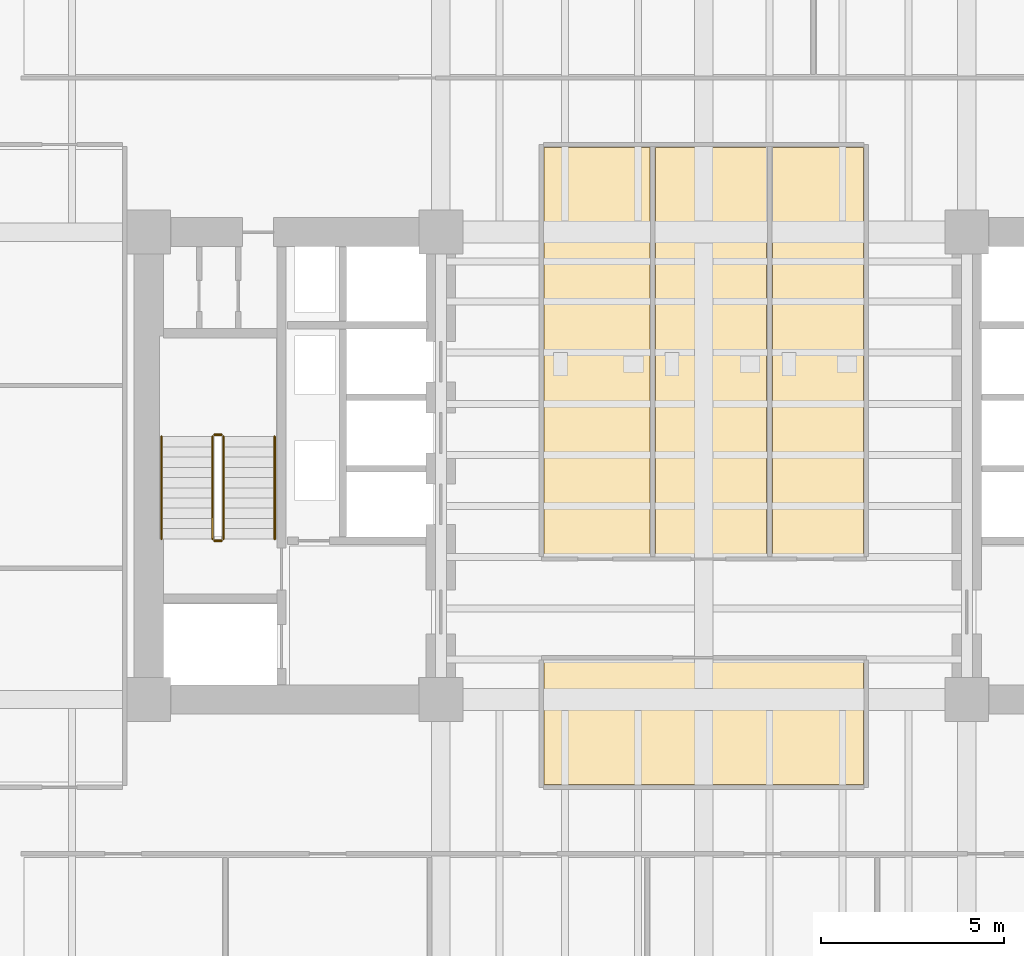
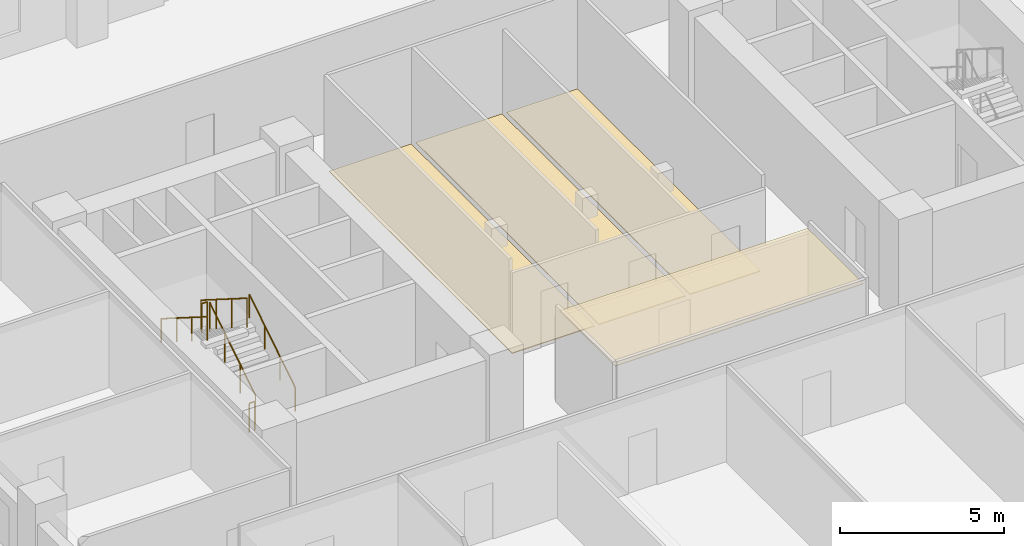
# One storey, part 7 of 10: 6 railings, 4 coverings.
"""IFC4 building model written with IfcOpenShell, lengths in metres."""

from ifc_helpers import new_model, si_unit, direction, frame, origin, origin_2d, place, context, subcontext, project, spatial, polyline, circle, outline, extrude, material, layer, layer_set, type_object, element, save


model = new_model("IFC4")

# Units and contexts
model_context = context("Model", 3, precision=1e-05, world=origin(), true_north=direction((0.0, 1.0)))
body_context = subcontext(model_context, "Body", "Model", "MODEL_VIEW")
ifc_project = project(units=[si_unit("LENGTHUNIT", "METRE"), si_unit("AREAUNIT", "SQUARE_METRE"), si_unit("VOLUMEUNIT", "CUBIC_METRE"), si_unit("PLANEANGLEUNIT", "RADIAN"), si_unit("MASSUNIT", "GRAM", prefix="KILO")], contexts=[model_context])

# Site, building, storey
site_placement = place(None, origin())
site = spatial("IfcSite", under=ifc_project, at=site_placement, CompositionType="ELEMENT")
building_placement = place(site_placement, origin())
building = spatial("IfcBuilding", under=site, at=building_placement, Name="Kranthara Brick Stack", CompositionType="ELEMENT")
storey_placement = place(building_placement, frame((0.0, 0.0, 39.89990234375)))
storey = spatial("IfcBuildingStorey", under=building, at=storey_placement, Name="L09", CompositionType="ELEMENT", Elevation=39.89990234375)

# Coverings
ifc_material_1 = material(Name="Perforated mineral-fibre acoustic ceiling tile", Category="other")
ifc_layer_1 = layer(ifc_material_1, 0.02490234375)
ifc_layer_set_1 = layer_set([ifc_layer_1], Name="Perforated mineral-fibre acoustic ceiling tile")
covering_type_1 = type_object("IfcCoveringType", Name="COV-CEIL-ACOUSTIC", PredefinedType="CEILING", material=ifc_layer_set_1)
covering_1_placement = place(storey_placement, frame((0.0, 0.0, 3.330078125)))
element("IfcCovering", 1, at=covering_1_placement, inside=storey, type_object=covering_type_1, Name="L09 L09 Central Executive Briefing Room Acoustic Ceiling", PredefinedType="CEILING", context=body_context, shape_type="SweptSolid", body=[
    extrude(outline(polyline([(32.3701171875, 18.47998046875), (32.3701171875, 21.8798828125), (23.6298828125, 21.8798828125), (23.6298828125, 18.47998046875), (32.3701171875, 18.47998046875)])), origin(), (0.0, 0.0, 1.0), 0.02490234375),
])
ifc_material_2 = material(Name="Honed terrazzo and porcelain floor finish", Category="stone")
ifc_layer_2 = layer(ifc_material_2, 0.030029296875)
ifc_layer_set_2 = layer_set([ifc_layer_2], Name="Honed terrazzo and porcelain floor finish")
covering_type_2 = type_object("IfcCoveringType", Name="COV-FLOR-STONE", PredefinedType="FLOORING", material=ifc_layer_set_2)
covering_2_placement = place(storey_placement, origin())
element("IfcCovering", 2, at=covering_2_placement, inside=storey, type_object=covering_type_2, Name="L09 Wet Room Porcelain Flooring", PredefinedType="FLOORING", context=body_context, shape_type="SweptSolid", body=[
    extrude(outline(polyline([(26.52001953125, 24.75), (26.52001953125, 35.919921875), (23.6298828125, 35.919921875), (23.6298828125, 24.75), (26.52001953125, 24.75)])), origin(), (0.0, 0.0, 1.0), 0.030029296875),
])
covering_3_placement = place(storey_placement, origin())
element("IfcCovering", 3, at=covering_3_placement, inside=storey, type_object=covering_type_2, Name="L09 Wet Room Porcelain Flooring", PredefinedType="FLOORING", context=body_context, shape_type="SweptSolid", body=[
    extrude(outline(polyline([(29.719970703125, 24.75), (29.719970703125, 35.919921875), (26.679931640625, 35.919921875), (26.679931640625, 24.75), (29.719970703125, 24.75)])), origin(), (0.0, 0.0, 1.0), 0.030029296875),
])
covering_4_placement = place(storey_placement, origin())
element("IfcCovering", 4, at=covering_4_placement, inside=storey, type_object=covering_type_2, Name="L09 Wet Room Porcelain Flooring", PredefinedType="FLOORING", context=body_context, shape_type="SweptSolid", body=[
    extrude(outline(polyline([(32.3701171875, 24.75), (32.3701171875, 35.919921875), (29.8798828125, 35.919921875), (29.8798828125, 24.75), (32.3701171875, 24.75)])), origin(), (0.0, 0.0, 1.0), 0.030029296875),
])

# Railings
ifc_material_3 = material(Name="Painted galvanized steel stair guardrail", Category="steel")
railing_type_1 = type_object("IfcRailingType", Name="RL-STAIR-GUARD-1100", PredefinedType="GUARDRAIL", material=ifc_material_3)
railing_1_placement = place(storey_placement, frame((14.85009765625, 25.199951171875, 0.177490234375)))
element("IfcRailing", 5, at=railing_1_placement, inside=storey, type_object=railing_type_1, Name="L09 ST01 stair guard 1", PredefinedType="GUARDRAIL", context=body_context, shape_type="SweptSolid", body=[
    extrude(circle(Radius=0.02392578125, at=origin_2d()), frame((0.0, 0.0, 1.076171875), z_axis=(0.0, 0.844908973607, 0.534910110503), x_axis=(-1.0, 0.0, 0.0)), (0.0, 0.0, 1.0), 3.31396484375),
    extrude(circle(Radius=0.02099609375, at=origin_2d()), origin(), (0.0, 0.0, 1.0), 1.052001953125),
    extrude(circle(Radius=0.02099609375, at=origin_2d()), frame((0.0, 0.933349609375, 0.5908203125)), (0.0, 0.0, 1.0), 1.052001953125),
    extrude(circle(Radius=0.02099609375, at=origin_2d()), frame((0.0, 1.86669921875, 1.181884765625)), (0.0, 0.0, 1.0), 1.052001953125),
    extrude(circle(Radius=0.02099609375, at=origin_2d()), frame((0.0, 2.800048828125, 1.772705078125)), (0.0, 0.0, 1.0), 1.052001953125),
])
railing_2_placement = place(storey_placement, frame((14.800048828125, 28.050048828125, 1.9501953125)))
element("IfcRailing", 6, at=railing_2_placement, inside=storey, type_object=railing_type_1, Name="L09 ST01 stair guard 2", PredefinedType="GUARDRAIL", context=body_context, shape_type="SweptSolid", body=[
    extrude(circle(Radius=0.02392578125, at=origin_2d()), frame((0.0, 0.0, 1.076171875), z_axis=(-1.0, 0.0, 0.0), x_axis=(0.0, -1.0, 0.0)), (0.0, 0.0, 1.0), 0.199951171875),
    extrude(circle(Radius=0.02099609375, at=origin_2d()), origin(), (0.0, 0.0, 1.0), 1.052001953125),
    extrude(circle(Radius=0.02099609375, at=origin_2d()), frame((-0.199951171875, 0.0, 0.0)), (0.0, 0.0, 1.0), 1.052001953125),
])
railing_3_placement = place(storey_placement, frame((14.550048828125, 28.0, 2.12744140625)))
element("IfcRailing", 7, at=railing_3_placement, inside=storey, type_object=railing_type_1, Name="L09 ST01 stair guard 3", PredefinedType="GUARDRAIL", context=body_context, shape_type="SweptSolid", body=[
    extrude(circle(Radius=0.02392578125, at=origin_2d()), frame((0.0, 0.0, 1.076171875), z_axis=(0.0, -0.844908973607, 0.534910110503), x_axis=(1.0, 0.0, 0.0)), (0.0, 0.0, 1.0), 3.31396484375),
    extrude(circle(Radius=0.02099609375, at=origin_2d()), origin(), (0.0, 0.0, 1.0), 1.052001953125),
    extrude(circle(Radius=0.02099609375, at=origin_2d()), frame((0.0, -0.933349609375, 0.5908203125)), (0.0, 0.0, 1.0), 1.052001953125),
    extrude(circle(Radius=0.02099609375, at=origin_2d()), frame((0.0, -1.86669921875, 1.181884765625)), (0.0, 0.0, 1.0), 1.052001953125),
    extrude(circle(Radius=0.02099609375, at=origin_2d()), frame((0.0, -2.800048828125, 1.772705078125)), (0.0, 0.0, 1.0), 1.052001953125),
])
railing_4_placement = place(storey_placement, frame((14.800048828125, 25.14990234375, 0.0)))
element("IfcRailing", 8, at=railing_4_placement, inside=storey, type_object=railing_type_1, Name="L09 ST01 stair guard 4", PredefinedType="GUARDRAIL", context=body_context, shape_type="SweptSolid", body=[
    extrude(circle(Radius=0.02392578125, at=origin_2d()), frame((0.0, 0.0, 1.076171875), z_axis=(-1.0, 0.0, 0.0), x_axis=(0.0, -1.0, 0.0)), (0.0, 0.0, 1.0), 0.199951171875),
    extrude(circle(Radius=0.02099609375, at=origin_2d()), origin(), (0.0, 0.0, 1.0), 1.052001953125),
    extrude(circle(Radius=0.02099609375, at=origin_2d()), frame((-0.199951171875, 0.0, 0.0)), (0.0, 0.0, 1.0), 1.052001953125),
])
ifc_material_4 = material(Name="Brushed stainless steel tubular handrail", Category="steel")
railing_type_2 = type_object("IfcRailingType", Name="RL-STAIR-HAND-900", PredefinedType="HANDRAIL", material=ifc_material_4)
railing_5_placement = place(storey_placement, frame((16.25, 25.199951171875, 0.177490234375)))
element("IfcRailing", 9, at=railing_5_placement, inside=storey, type_object=railing_type_2, Name="L09 ST01 stair handrail 1", PredefinedType="HANDRAIL", context=body_context, shape_type="SweptSolid", body=[
    extrude(circle(Radius=0.02392578125, at=origin_2d()), frame((0.0, 0.0, 0.8759765625), z_axis=(0.0, 0.844908973607, 0.534910110503), x_axis=(-1.0, 0.0, 0.0)), (0.0, 0.0, 1.0), 3.31396484375),
    extrude(circle(Radius=0.02099609375, at=origin_2d()), origin(), (0.0, 0.0, 1.0), 0.851806640625),
    extrude(circle(Radius=0.02099609375, at=origin_2d()), frame((0.0, 0.933349609375, 0.5908203125)), (0.0, 0.0, 1.0), 0.851806640625),
    extrude(circle(Radius=0.02099609375, at=origin_2d()), frame((0.0, 1.86669921875, 1.181884765625)), (0.0, 0.0, 1.0), 0.851806640625),
    extrude(circle(Radius=0.02099609375, at=origin_2d()), frame((0.0, 2.800048828125, 1.772705078125)), (0.0, 0.0, 1.0), 0.851806640625),
])
railing_6_placement = place(storey_placement, frame((13.14990234375, 28.0, 2.12744140625)))
element("IfcRailing", 10, at=railing_6_placement, inside=storey, type_object=railing_type_2, Name="L09 ST01 stair handrail 2", PredefinedType="HANDRAIL", context=body_context, shape_type="SweptSolid", body=[
    extrude(circle(Radius=0.02392578125, at=origin_2d()), frame((0.0, 0.0, 0.8759765625), z_axis=(0.0, -0.844908973607, 0.534910110503), x_axis=(1.0, 0.0, 0.0)), (0.0, 0.0, 1.0), 3.31396484375),
    extrude(circle(Radius=0.02099609375, at=origin_2d()), origin(), (0.0, 0.0, 1.0), 0.851806640625),
    extrude(circle(Radius=0.02099609375, at=origin_2d()), frame((0.0, -0.933349609375, 0.5908203125)), (0.0, 0.0, 1.0), 0.851806640625),
    extrude(circle(Radius=0.02099609375, at=origin_2d()), frame((0.0, -1.86669921875, 1.181884765625)), (0.0, 0.0, 1.0), 0.851806640625),
    extrude(circle(Radius=0.02099609375, at=origin_2d()), frame((0.0, -2.800048828125, 1.772705078125)), (0.0, 0.0, 1.0), 0.851806640625),
])

save(model, "model.ifc")
